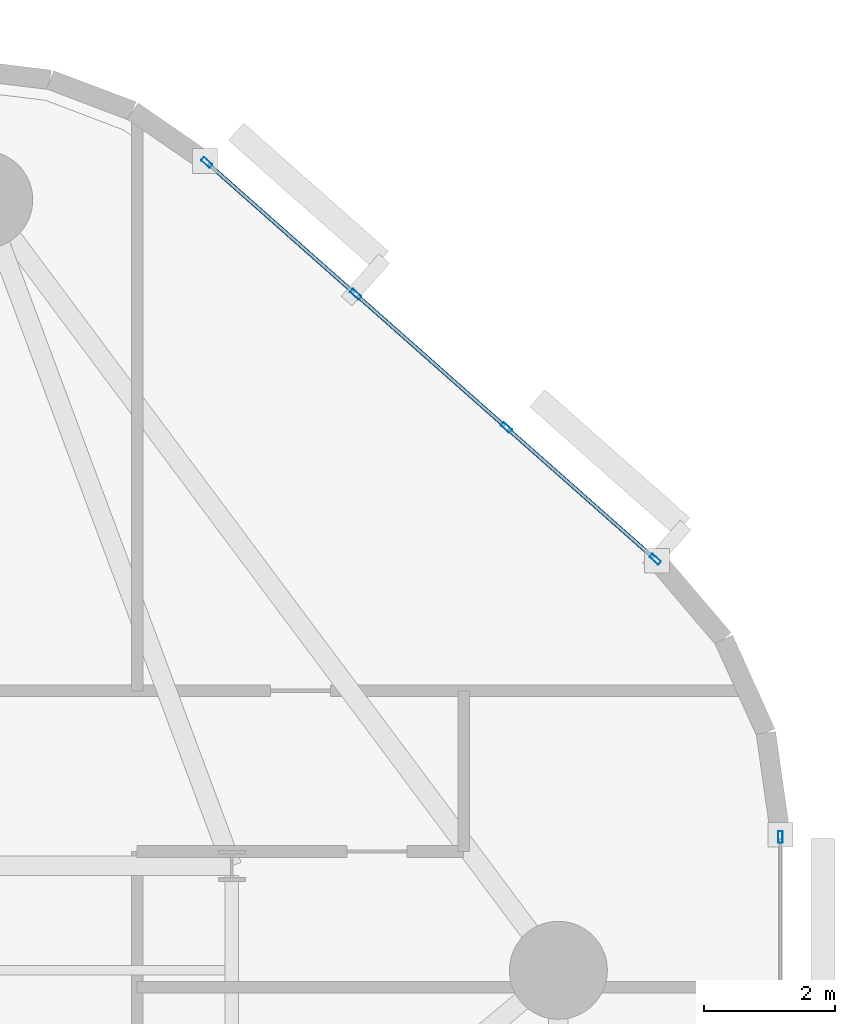
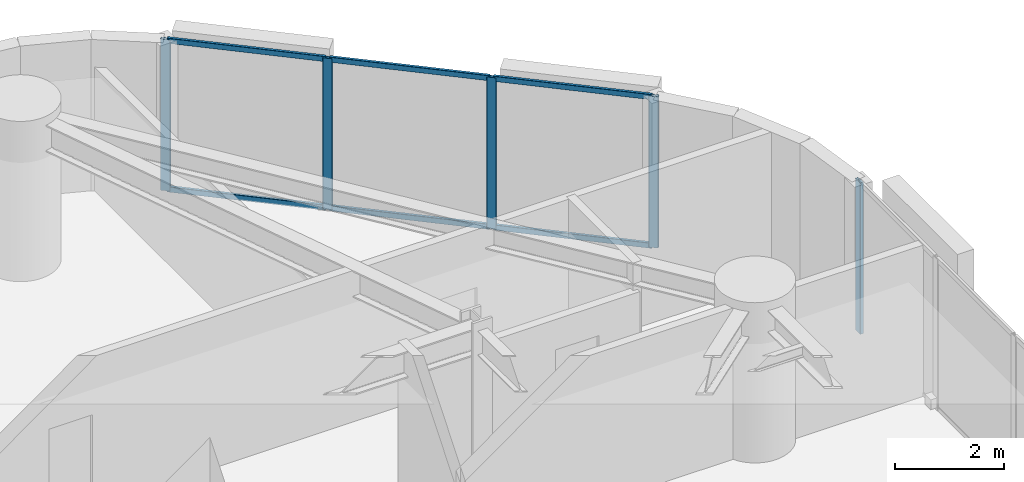
# One storey, part 8 of 16: 11 members, 2 elements without a shape of their own.
"""IFC4 building model written with IfcOpenShell, lengths in metres."""

from ifc_helpers import new_model, si_unit, direction, frame, origin, origin_2d, place, context, subcontext, project, spatial, hollow_rectangle, extrude, material, layer, layer_set, material_profile, profile_set, type_object, element, aggregate, save


model = new_model("IFC4")

# Units and contexts
model_context = context("Model", 3, precision=1e-05, world=origin(), true_north=direction((0.0, 1.0)))
body_context = subcontext(model_context, "Body", "Model", "MODEL_VIEW")
ifc_project = project(units=[si_unit("LENGTHUNIT", "METRE"), si_unit("AREAUNIT", "SQUARE_METRE"), si_unit("VOLUMEUNIT", "CUBIC_METRE"), si_unit("PLANEANGLEUNIT", "RADIAN"), si_unit("MASSUNIT", "GRAM", prefix="KILO")], contexts=[model_context])

# Site, building, storey
site_placement = place(None, origin())
site = spatial("IfcSite", under=ifc_project, at=site_placement, CompositionType="ELEMENT")
building_placement = place(site_placement, origin())
building = spatial("IfcBuilding", under=site, at=building_placement, Name="An Khanh Terracotta Commons", CompositionType="ELEMENT")
storey_placement = place(building_placement, frame((0.0, 0.0, 43.199951171875)))
storey = spatial("IfcBuildingStorey", under=building, at=storey_placement, Name="L11", CompositionType="ELEMENT", Elevation=43.199951171875)

# Curtain wall, member
ifc_material = material(Name="Anodised Aluminium 6063-T6", Category="aluminium")
ifc_layer = layer(ifc_material, 0.199951171875, Name="Anodised Aluminium 6063-T6")
ifc_layer_set = layer_set([ifc_layer], Name="Anodised Aluminium 6063-T6")
curtain_wall_type = type_object("IfcCurtainWallType", Name="CW-SYS-02", PredefinedType="USERDEFINED", material=ifc_layer_set)
curtain_wall_1_placement = place(storey_placement, origin())
curtain_wall_1 = element("IfcCurtainWall", 1, at=curtain_wall_1_placement, inside=storey, type_object=curtain_wall_type, Name="L11 CW-02 Unitised Curtain Wall CW-L11-12", ObjectType="UNITISED CURTAIN WALL", PredefinedType="USERDEFINED")
ifc_material_profile_1 = material_profile(ifc_material, hollow_rectangle(XDim=0.070068359375, YDim=0.179931640625, WallThickness=0.00390625, InnerFilletRadius=0.00390625, OuterFilletRadius=0.008056640625, at=origin_2d()), Name="RHS180x70x4")
ifc_profile_set_1 = profile_set([ifc_material_profile_1], Name="Anodised Aluminium 6063-T6")
member_type_1 = type_object("IfcMemberType", Name="CWM-RHS180x70x4", PredefinedType="MULLION", material=ifc_profile_set_1)
member_1_placement = place(storey_placement, frame((51.60009765625, 34.0419921875, 0.0), z_axis=(0.0, 0.0, 1.0), x_axis=(-1.0, 0.0, 0.0)))
member_1 = element("IfcMember", 2, at=member_1_placement, type_object=member_type_1, Name="CW-02 mullion 8", PredefinedType="MULLION", context=body_context, shape_type="SweptSolid", body=[
    extrude(hollow_rectangle(XDim=0.070068359375, YDim=0.179931640625, WallThickness=0.00390625, InnerFilletRadius=0.00390625, OuterFilletRadius=0.008056640625, at=origin_2d()), origin(), (0.0, 0.0, 1.0), 3.400146484375),
])
aggregate(curtain_wall_1, [member_1])

# Curtain wall, members
curtain_wall_2_placement = place(storey_placement, origin())
curtain_wall_2 = element("IfcCurtainWall", 3, at=curtain_wall_2_placement, inside=storey, type_object=curtain_wall_type, Name="L11 CW-02 Unitised Curtain Wall CW-L11-16", ObjectType="UNITISED CURTAIN WALL", PredefinedType="USERDEFINED")
member_2_placement = place(storey_placement, frame((49.683837890625, 38.295166015625, 0.0), z_axis=(0.0, 0.0, 1.0), x_axis=(-0.662548195415, -0.749019284633, 0.0)))
member_2 = element("IfcMember", 4, at=member_2_placement, type_object=member_type_1, Name="CW-02 mullion 1", PredefinedType="MULLION", context=body_context, shape_type="SweptSolid", body=[
    extrude(hollow_rectangle(XDim=0.070068359375, YDim=0.179931640625, WallThickness=0.00390625, InnerFilletRadius=0.00390625, OuterFilletRadius=0.008056640625, at=origin_2d()), origin(), (0.0, 0.0, 1.0), 3.400146484375),
])
member_3_placement = place(storey_placement, frame((47.403076171875, 40.312744140625, 0.0), z_axis=(0.0, 0.0, 1.0), x_axis=(-0.662548195415, -0.749019284633, 0.0)))
member_3 = element("IfcMember", 5, at=member_3_placement, type_object=member_type_1, Name="CW-02 mullion 2", PredefinedType="MULLION", context=body_context, shape_type="SweptSolid", body=[
    extrude(hollow_rectangle(XDim=0.070068359375, YDim=0.179931640625, WallThickness=0.00390625, InnerFilletRadius=0.00390625, OuterFilletRadius=0.008056640625, at=origin_2d()), origin(), (0.0, 0.0, 1.0), 3.400146484375),
])
member_4_placement = place(storey_placement, frame((45.095947265625, 42.353271484375, 0.0), z_axis=(0.0, 0.0, 1.0), x_axis=(-0.662548195415, -0.749019284633, 0.0)))
member_4 = element("IfcMember", 6, at=member_4_placement, type_object=member_type_1, Name="CW-02 mullion 3", PredefinedType="MULLION", context=body_context, shape_type="SweptSolid", body=[
    extrude(hollow_rectangle(XDim=0.070068359375, YDim=0.179931640625, WallThickness=0.00390625, InnerFilletRadius=0.00390625, OuterFilletRadius=0.008056640625, at=origin_2d()), origin(), (0.0, 0.0, 1.0), 3.400146484375),
])
member_5_placement = place(storey_placement, frame((42.815185546875, 44.370849609375, 0.0), z_axis=(0.0, 0.0, 1.0), x_axis=(-0.662548195415, -0.749019284633, 0.0)))
member_5 = element("IfcMember", 7, at=member_5_placement, type_object=member_type_1, Name="CW-02 mullion 4", PredefinedType="MULLION", context=body_context, shape_type="SweptSolid", body=[
    extrude(hollow_rectangle(XDim=0.070068359375, YDim=0.179931640625, WallThickness=0.00390625, InnerFilletRadius=0.00390625, OuterFilletRadius=0.008056640625, at=origin_2d()), origin(), (0.0, 0.0, 1.0), 3.400146484375),
])
ifc_material_profile_2 = material_profile(ifc_material, hollow_rectangle(XDim=0.06005859375, YDim=0.1201171875, WallThickness=0.003662109375, InnerFilletRadius=0.003662109375, OuterFilletRadius=0.007080078125, at=origin_2d()), Name="RHS120x60x3.6")
ifc_profile_set_2 = profile_set([ifc_material_profile_2], Name="Anodised Aluminium 6063-T6")
member_type_2 = type_object("IfcMemberType", Name="CWT-RHS120x60x3.6", PredefinedType="USERDEFINED", material=ifc_profile_set_2)
member_6_placement = place(storey_placement, frame((49.657470703125, 38.318359375, 0.030029296875), z_axis=(-0.74899186341, 0.662579194168, 0.0), x_axis=(-0.662579194168, -0.74899186341, 0.0)))
member_6 = element("IfcMember", 8, at=member_6_placement, type_object=member_type_2, Name="CW-02 transom 1.1", ObjectType="TRANSOM", PredefinedType="USERDEFINED", context=body_context, shape_type="SweptSolid", body=[
    extrude(hollow_rectangle(XDim=0.06005859375, YDim=0.1201171875, WallThickness=0.003662109375, InnerFilletRadius=0.003662109375, OuterFilletRadius=0.007080078125, at=origin_2d()), origin(), (0.0, 0.0, 1.0), 2.97509765625),
])
member_7_placement = place(storey_placement, frame((49.657470703125, 38.318359375, 3.3701171875), z_axis=(-0.74899186341, 0.662579194168, 0.0), x_axis=(-0.662579194168, -0.74899186341, 0.0)))
member_7 = element("IfcMember", 9, at=member_7_placement, type_object=member_type_2, Name="CW-02 transom 1.2", ObjectType="TRANSOM", PredefinedType="USERDEFINED", context=body_context, shape_type="SweptSolid", body=[
    extrude(hollow_rectangle(XDim=0.06005859375, YDim=0.1201171875, WallThickness=0.003662109375, InnerFilletRadius=0.003662109375, OuterFilletRadius=0.007080078125, at=origin_2d()), origin(), (0.0, 0.0, 1.0), 2.97509765625),
])
member_8_placement = place(storey_placement, frame((47.376708984375, 40.3359375, 0.030029296875), z_axis=(-0.749018237701, 0.662549378984, 0.0), x_axis=(-0.662549378984, -0.749018237701, 0.0)))
member_8 = element("IfcMember", 10, at=member_8_placement, type_object=member_type_2, Name="CW-02 transom 2.1", ObjectType="TRANSOM", PredefinedType="USERDEFINED", context=body_context, shape_type="SweptSolid", body=[
    extrude(hollow_rectangle(XDim=0.06005859375, YDim=0.1201171875, WallThickness=0.003662109375, InnerFilletRadius=0.003662109375, OuterFilletRadius=0.007080078125, at=origin_2d()), origin(), (0.0, 0.0, 1.0), 3.009765625),
])
member_9_placement = place(storey_placement, frame((47.376708984375, 40.3359375, 3.3701171875), z_axis=(-0.749018237701, 0.662549378984, 0.0), x_axis=(-0.662549378984, -0.749018237701, 0.0)))
member_9 = element("IfcMember", 11, at=member_9_placement, type_object=member_type_2, Name="CW-02 transom 2.2", ObjectType="TRANSOM", PredefinedType="USERDEFINED", context=body_context, shape_type="SweptSolid", body=[
    extrude(hollow_rectangle(XDim=0.06005859375, YDim=0.1201171875, WallThickness=0.003662109375, InnerFilletRadius=0.003662109375, OuterFilletRadius=0.007080078125, at=origin_2d()), origin(), (0.0, 0.0, 1.0), 3.009765625),
])
member_10_placement = place(storey_placement, frame((45.06982421875, 42.37646484375, 0.030029296875), z_axis=(-0.74899186341, 0.662579194168, 0.0), x_axis=(-0.662579194168, -0.74899186341, 0.0)))
member_10 = element("IfcMember", 12, at=member_10_placement, type_object=member_type_2, Name="CW-02 transom 3.1", ObjectType="TRANSOM", PredefinedType="USERDEFINED", context=body_context, shape_type="SweptSolid", body=[
    extrude(hollow_rectangle(XDim=0.06005859375, YDim=0.1201171875, WallThickness=0.003662109375, InnerFilletRadius=0.003662109375, OuterFilletRadius=0.007080078125, at=origin_2d()), origin(), (0.0, 0.0, 1.0), 2.97509765625),
])
member_11_placement = place(storey_placement, frame((45.06982421875, 42.37646484375, 3.3701171875), z_axis=(-0.74899186341, 0.662579194168, 0.0), x_axis=(-0.662579194168, -0.74899186341, 0.0)))
member_11 = element("IfcMember", 13, at=member_11_placement, type_object=member_type_2, Name="CW-02 transom 3.2", ObjectType="TRANSOM", PredefinedType="USERDEFINED", context=body_context, shape_type="SweptSolid", body=[
    extrude(hollow_rectangle(XDim=0.06005859375, YDim=0.1201171875, WallThickness=0.003662109375, InnerFilletRadius=0.003662109375, OuterFilletRadius=0.007080078125, at=origin_2d()), origin(), (0.0, 0.0, 1.0), 2.97509765625),
])
aggregate(curtain_wall_2, [member_2, member_3, member_4, member_5, member_6, member_7, member_8, member_9, member_10, member_11])

save(model, "model.ifc")
